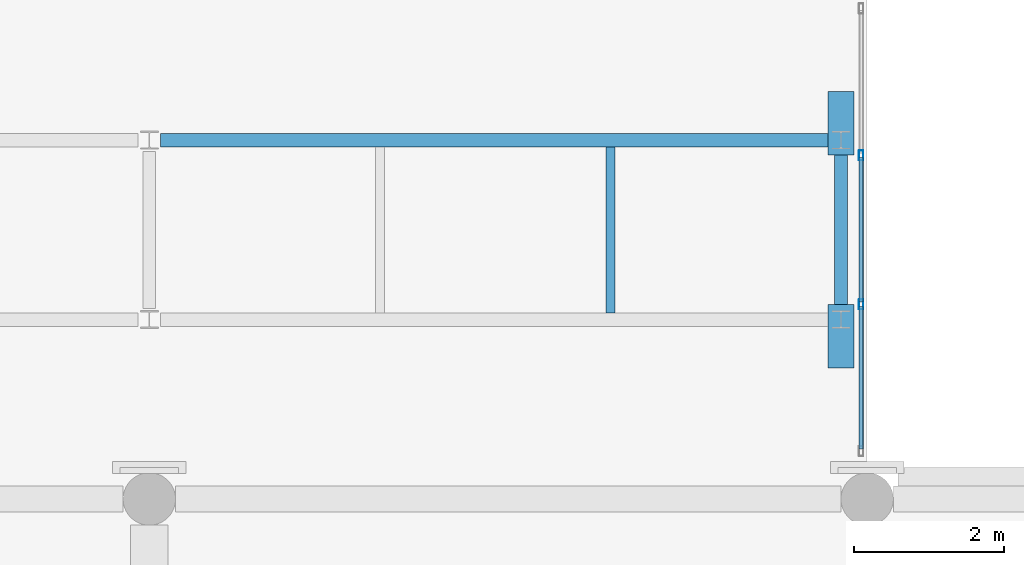
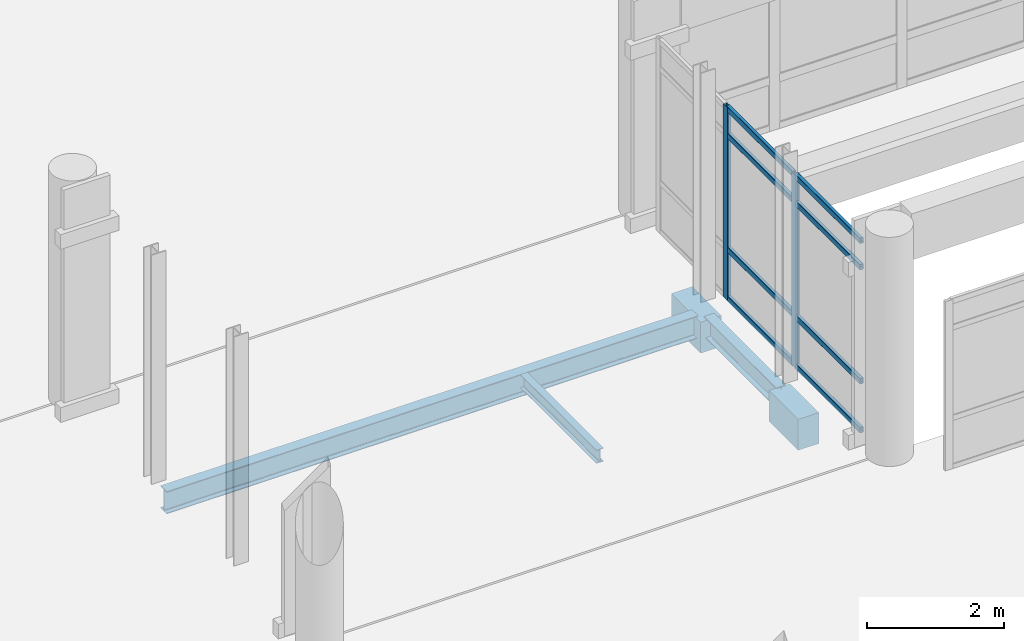
# One storey, part 21 of 180: 10 members, 5 beams, 1 element without a shape of its own.
"""IFC4 building model written with IfcOpenShell, lengths in metres."""

from ifc_helpers import new_model, si_unit, direction, frame, origin, origin_2d, place, context, subcontext, project, spatial, rectangle, hollow_rectangle, i_section, extrude, material, layer, layer_set, material_profile, profile_set, type_object, element, aggregate, save


model = new_model("IFC4")

# Units and contexts
model_context = context("Model", 3, precision=1e-05, world=origin(), true_north=direction((0.0, 1.0)))
body_context = subcontext(model_context, "Body", "Model", "MODEL_VIEW")
ifc_project = project(units=[si_unit("LENGTHUNIT", "METRE"), si_unit("AREAUNIT", "SQUARE_METRE"), si_unit("VOLUMEUNIT", "CUBIC_METRE"), si_unit("PLANEANGLEUNIT", "RADIAN"), si_unit("MASSUNIT", "GRAM", prefix="KILO")], contexts=[model_context])

# Site, building, storey
site_placement = place(None, origin())
site = spatial("IfcSite", under=ifc_project, at=site_placement, CompositionType="ELEMENT")
building_placement = place(site_placement, origin())
building = spatial("IfcBuilding", under=site, at=building_placement, Name="Asteropetra Specialist Clinic", CompositionType="ELEMENT")
storey_placement = place(building_placement, frame((0.0, 0.0, 4.419921875)))
storey = spatial("IfcBuildingStorey", under=building, at=storey_placement, Name="L01", CompositionType="ELEMENT", Elevation=4.419921875)

# Beams
ifc_material_1 = material(Name="Concrete C35/45", Category="concrete")
ifc_material_profile_1 = material_profile(ifc_material_1, rectangle(XDim=0.35009765625, YDim=0.550048828125, at=origin_2d()), Name="RCB 350x550")
ifc_profile_set_1 = profile_set([ifc_material_profile_1], Name="Concrete C35/45")
beam_type_1 = type_object("IfcBeamType", Name="BM-RC350x550", PredefinedType="BEAM", material=ifc_profile_set_1)
for number, where, z_axis, x_axis, name in (
    (1, (28.449951171875, 29.0, -0.559814453125), (0.0, -1.0, 0.0), (1.0, 0.0, 0.0), "Bridge Bearing Seat Corbel CRB-03"),
    (2, (28.449951171875, 31.0, -0.559814453125), (0.0, 1.0, 0.0), (-1.0, 0.0, 0.0), "Bridge Bearing Seat Corbel CRB-04"),
):
    element("IfcBeam", number, at=place(storey_placement, frame(where, z_axis=z_axis, x_axis=x_axis)), inside=storey, type_object=beam_type_1, Name=name, PredefinedType="BEAM", context=body_context, shape_type="SweptSolid", body=[
        extrude(rectangle(XDim=0.35009765625, YDim=0.550048828125, at=origin_2d()), origin(), (0.0, 0.0, 1.0), 0.85009765625),
    ])
ifc_material_2 = material(Name="Steel S355", Category="steel")
ifc_material_profile_2 = material_profile(ifc_material_2, i_section(OverallWidth=0.169921875, OverallDepth=0.360107421875, WebThickness=0.008056640625, FlangeThickness=0.0126953125, FilletRadius=0.01806640625, at=origin_2d()), Name="IPE 360")
ifc_profile_set_2 = profile_set([ifc_material_profile_2], Name="Steel S355")
beam_type_2 = type_object("IfcBeamType", Name="BM-STL-IPE360", PredefinedType="BEAM", material=ifc_profile_set_2)
beam_1_placement = place(storey_placement, frame((28.449951171875, 28.949951171875, -0.419921875), z_axis=(0.0, 1.0, 0.0), x_axis=(-1.0, 0.0, 0.0)))
element("IfcBeam", 3, at=beam_1_placement, inside=storey, type_object=beam_type_2, Name="Beam BBMS4-0806", PredefinedType="BEAM", context=body_context, shape_type="SweptSolid", body=[
    extrude(i_section(OverallWidth=0.169921875, OverallDepth=0.360107421875, WebThickness=0.008056640625, FlangeThickness=0.0126953125, FilletRadius=0.01806640625, at=origin_2d()), origin(), (0.0, 0.0, 1.0), 2.10009765625),
])
ifc_material_3 = material(Name="Steel S355", Category="steel")
ifc_material_profile_3 = material_profile(ifc_material_3, i_section(OverallWidth=0.179931640625, OverallDepth=0.39990234375, WebThickness=0.008544921875, FlangeThickness=0.013427734375, FilletRadius=0.02099609375, at=origin_2d()), Name="IPE 400")
ifc_profile_set_3 = profile_set([ifc_material_profile_3], Name="Steel S355")
beam_type_3 = type_object("IfcBeamType", Name="BM-STL-IPE400", PredefinedType="BEAM", material=ifc_profile_set_3)
beam_2_placement = place(storey_placement, frame((19.35009765625, 31.199951171875, -0.43994140625), z_axis=(1.0, 0.0, 0.0), x_axis=(0.0, 1.0, 0.0)))
element("IfcBeam", 4, at=beam_2_placement, inside=storey, type_object=beam_type_3, Name="Beam BBMS3-0803", PredefinedType="BEAM", context=body_context, shape_type="SweptSolid", body=[
    extrude(i_section(OverallWidth=0.179931640625, OverallDepth=0.39990234375, WebThickness=0.008544921875, FlangeThickness=0.013427734375, FilletRadius=0.02099609375, at=origin_2d()), origin(), (0.0, 0.0, 1.0), 8.949951171875),
])

# Curtain wall, members
ifc_material_4 = material(Name="Aluminium and low-E glass", Category="aluminium")
ifc_layer = layer(ifc_material_4, 0.14990234375)
ifc_layer_set = layer_set([ifc_layer], Name="Aluminium and low-E glass")
curtain_wall_type = type_object("IfcCurtainWallType", Name="CW-SYS-08", PredefinedType="USERDEFINED", material=ifc_layer_set)
curtain_wall_placement = place(storey_placement, origin())
curtain_wall = element("IfcCurtainWall", 5, at=curtain_wall_placement, inside=storey, type_object=curtain_wall_type, Name="Curtain Wall CW-098", ObjectType="STICK GLAZED COLONNADE", PredefinedType="USERDEFINED")
ifc_material_5 = material(Name="Aluminium 6063-T6", Category="aluminium")
ifc_material_profile_4 = material_profile(ifc_material_5, hollow_rectangle(XDim=0.06005859375, YDim=0.135009765625, WallThickness=0.00341796875, InnerFilletRadius=0.00341796875, OuterFilletRadius=0.007080078125, at=origin_2d()), Name="MUL 135x60x3.5")
ifc_profile_set_4 = profile_set([ifc_material_profile_4], Name="Aluminium 6063-T6")
member_type_1 = type_object("IfcMemberType", Name="CWM-135x60", PredefinedType="MULLION", material=ifc_profile_set_4)
member_1_placement = place(storey_placement, frame((28.719970703125, 30.99658203125, 0.0), z_axis=(0.0, 0.0, 1.0), x_axis=(1.0, 0.0, 0.0)))
member_1 = element("IfcMember", 6, at=member_1_placement, type_object=member_type_1, Name="CW-098 mullion 2", PredefinedType="MULLION", context=body_context, shape_type="SweptSolid", body=[
    extrude(hollow_rectangle(XDim=0.06005859375, YDim=0.135009765625, WallThickness=0.00341796875, InnerFilletRadius=0.00341796875, OuterFilletRadius=0.007080078125, at=origin_2d()), origin(), (0.0, 0.0, 1.0), 3.43017578125),
])
member_2_placement = place(storey_placement, frame((28.719970703125, 29.00341796875, 0.0), z_axis=(0.0, 0.0, 1.0), x_axis=(1.0, 0.0, 0.0)))
member_2 = element("IfcMember", 7, at=member_2_placement, type_object=member_type_1, Name="CW-098 mullion 3", PredefinedType="MULLION", context=body_context, shape_type="SweptSolid", body=[
    extrude(hollow_rectangle(XDim=0.06005859375, YDim=0.135009765625, WallThickness=0.00341796875, InnerFilletRadius=0.00341796875, OuterFilletRadius=0.007080078125, at=origin_2d()), origin(), (0.0, 0.0, 1.0), 3.43017578125),
])
ifc_material_6 = material(Name="Aluminium 6063-T6", Category="aluminium")
ifc_material_profile_5 = material_profile(ifc_material_6, hollow_rectangle(XDim=0.06005859375, YDim=0.10009765625, WallThickness=0.00341796875, InnerFilletRadius=0.00341796875, OuterFilletRadius=0.007080078125, at=origin_2d()), Name="TRN 100x60x3.5")
ifc_profile_set_5 = profile_set([ifc_material_profile_5], Name="Aluminium 6063-T6")
member_type_2 = type_object("IfcMemberType", Name="CWT-100x60", PredefinedType="USERDEFINED", material=ifc_profile_set_5)
member_3_placement = place(storey_placement, frame((28.719970703125, 30.966552734375, 0.030029296875), z_axis=(0.0, -1.0, 0.0), x_axis=(1.0, 0.0, 0.0)))
member_3 = element("IfcMember", 8, at=member_3_placement, type_object=member_type_2, Name="CW-098 transom 2.1", ObjectType="TRANSOM", PredefinedType="USERDEFINED", context=body_context, shape_type="SweptSolid", body=[
    extrude(hollow_rectangle(XDim=0.06005859375, YDim=0.10009765625, WallThickness=0.00341796875, InnerFilletRadius=0.00341796875, OuterFilletRadius=0.007080078125, at=origin_2d()), origin(), (0.0, 0.0, 1.0), 1.93310546875),
])
member_4_placement = place(storey_placement, frame((28.719970703125, 30.966552734375, 0.900146484375), z_axis=(0.0, -1.0, 0.0), x_axis=(1.0, 0.0, 0.0)))
member_4 = element("IfcMember", 9, at=member_4_placement, type_object=member_type_2, Name="CW-098 transom 2.2", ObjectType="TRANSOM", PredefinedType="USERDEFINED", context=body_context, shape_type="SweptSolid", body=[
    extrude(hollow_rectangle(XDim=0.06005859375, YDim=0.10009765625, WallThickness=0.00341796875, InnerFilletRadius=0.00341796875, OuterFilletRadius=0.007080078125, at=origin_2d()), origin(), (0.0, 0.0, 1.0), 1.93310546875),
])
member_5_placement = place(storey_placement, frame((28.719970703125, 30.966552734375, 2.93017578125), z_axis=(0.0, -1.0, 0.0), x_axis=(1.0, 0.0, 0.0)))
member_5 = element("IfcMember", 10, at=member_5_placement, type_object=member_type_2, Name="CW-098 transom 2.3", ObjectType="TRANSOM", PredefinedType="USERDEFINED", context=body_context, shape_type="SweptSolid", body=[
    extrude(hollow_rectangle(XDim=0.06005859375, YDim=0.10009765625, WallThickness=0.00341796875, InnerFilletRadius=0.00341796875, OuterFilletRadius=0.007080078125, at=origin_2d()), origin(), (0.0, 0.0, 1.0), 1.93310546875),
])
member_6_placement = place(storey_placement, frame((28.719970703125, 30.966552734375, 3.400146484375), z_axis=(0.0, -1.0, 0.0), x_axis=(1.0, 0.0, 0.0)))
member_6 = element("IfcMember", 11, at=member_6_placement, type_object=member_type_2, Name="CW-098 transom 2.4", ObjectType="TRANSOM", PredefinedType="USERDEFINED", context=body_context, shape_type="SweptSolid", body=[
    extrude(hollow_rectangle(XDim=0.06005859375, YDim=0.10009765625, WallThickness=0.00341796875, InnerFilletRadius=0.00341796875, OuterFilletRadius=0.007080078125, at=origin_2d()), origin(), (0.0, 0.0, 1.0), 1.93310546875),
])
member_7_placement = place(storey_placement, frame((28.719970703125, 28.973388671875, 0.030029296875), z_axis=(0.0, -1.0, 0.0), x_axis=(1.0, 0.0, 0.0)))
member_7 = element("IfcMember", 12, at=member_7_placement, type_object=member_type_2, Name="CW-098 transom 3.1", ObjectType="TRANSOM", PredefinedType="USERDEFINED", context=body_context, shape_type="SweptSolid", body=[
    extrude(hollow_rectangle(XDim=0.06005859375, YDim=0.10009765625, WallThickness=0.00341796875, InnerFilletRadius=0.00341796875, OuterFilletRadius=0.007080078125, at=origin_2d()), origin(), (0.0, 0.0, 1.0), 1.9033203125),
])
member_8_placement = place(storey_placement, frame((28.719970703125, 28.973388671875, 0.900146484375), z_axis=(0.0, -1.0, 0.0), x_axis=(1.0, 0.0, 0.0)))
member_8 = element("IfcMember", 13, at=member_8_placement, type_object=member_type_2, Name="CW-098 transom 3.2", ObjectType="TRANSOM", PredefinedType="USERDEFINED", context=body_context, shape_type="SweptSolid", body=[
    extrude(hollow_rectangle(XDim=0.06005859375, YDim=0.10009765625, WallThickness=0.00341796875, InnerFilletRadius=0.00341796875, OuterFilletRadius=0.007080078125, at=origin_2d()), origin(), (0.0, 0.0, 1.0), 1.9033203125),
])
member_9_placement = place(storey_placement, frame((28.719970703125, 28.973388671875, 2.93017578125), z_axis=(0.0, -1.0, 0.0), x_axis=(1.0, 0.0, 0.0)))
member_9 = element("IfcMember", 14, at=member_9_placement, type_object=member_type_2, Name="CW-098 transom 3.3", ObjectType="TRANSOM", PredefinedType="USERDEFINED", context=body_context, shape_type="SweptSolid", body=[
    extrude(hollow_rectangle(XDim=0.06005859375, YDim=0.10009765625, WallThickness=0.00341796875, InnerFilletRadius=0.00341796875, OuterFilletRadius=0.007080078125, at=origin_2d()), origin(), (0.0, 0.0, 1.0), 1.9033203125),
])
member_10_placement = place(storey_placement, frame((28.719970703125, 28.973388671875, 3.400146484375), z_axis=(0.0, -1.0, 0.0), x_axis=(1.0, 0.0, 0.0)))
member_10 = element("IfcMember", 15, at=member_10_placement, type_object=member_type_2, Name="CW-098 transom 3.4", ObjectType="TRANSOM", PredefinedType="USERDEFINED", context=body_context, shape_type="SweptSolid", body=[
    extrude(hollow_rectangle(XDim=0.06005859375, YDim=0.10009765625, WallThickness=0.00341796875, InnerFilletRadius=0.00341796875, OuterFilletRadius=0.007080078125, at=origin_2d()), origin(), (0.0, 0.0, 1.0), 1.9033203125),
])
aggregate(curtain_wall, [member_1, member_2, member_3, member_4, member_5, member_6, member_7, member_8, member_9, member_10])

# Beam
ifc_material_7 = material(Name="Steel S355", Category="steel")
ifc_material_profile_6 = material_profile(ifc_material_7, i_section(OverallWidth=0.1201171875, OverallDepth=0.239990234375, WebThickness=0.006103515625, FlangeThickness=0.009765625, FilletRadius=0.014892578125, at=origin_2d()), Name="IPE 240")
ifc_profile_set_6 = profile_set([ifc_material_profile_6], Name="Steel S355")
beam_type_4 = type_object("IfcBeamType", Name="JST-STL-IPE240", PredefinedType="JOIST", material=ifc_profile_set_6)
beam_3_placement = place(storey_placement, frame((25.36669921875, 28.889892578125, -0.35986328125), z_axis=(0.0, 1.0, 0.0), x_axis=(-1.0, 0.0, 0.0)))
element("IfcBeam", 16, at=beam_3_placement, inside=storey, type_object=beam_type_4, Name="Joist JJSTS1-0810", PredefinedType="JOIST", context=body_context, shape_type="SweptSolid", body=[
    extrude(i_section(OverallWidth=0.1201171875, OverallDepth=0.239990234375, WebThickness=0.006103515625, FlangeThickness=0.009765625, FilletRadius=0.014892578125, at=origin_2d()), origin(), (0.0, 0.0, 1.0), 2.22021484375),
])

save(model, "model.ifc")
